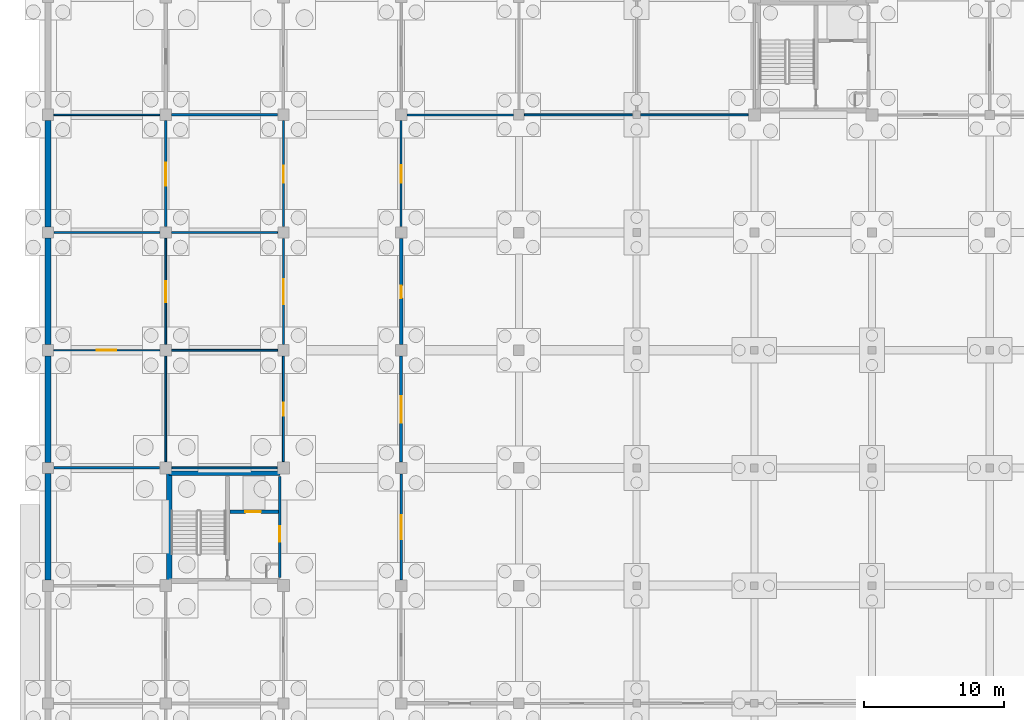
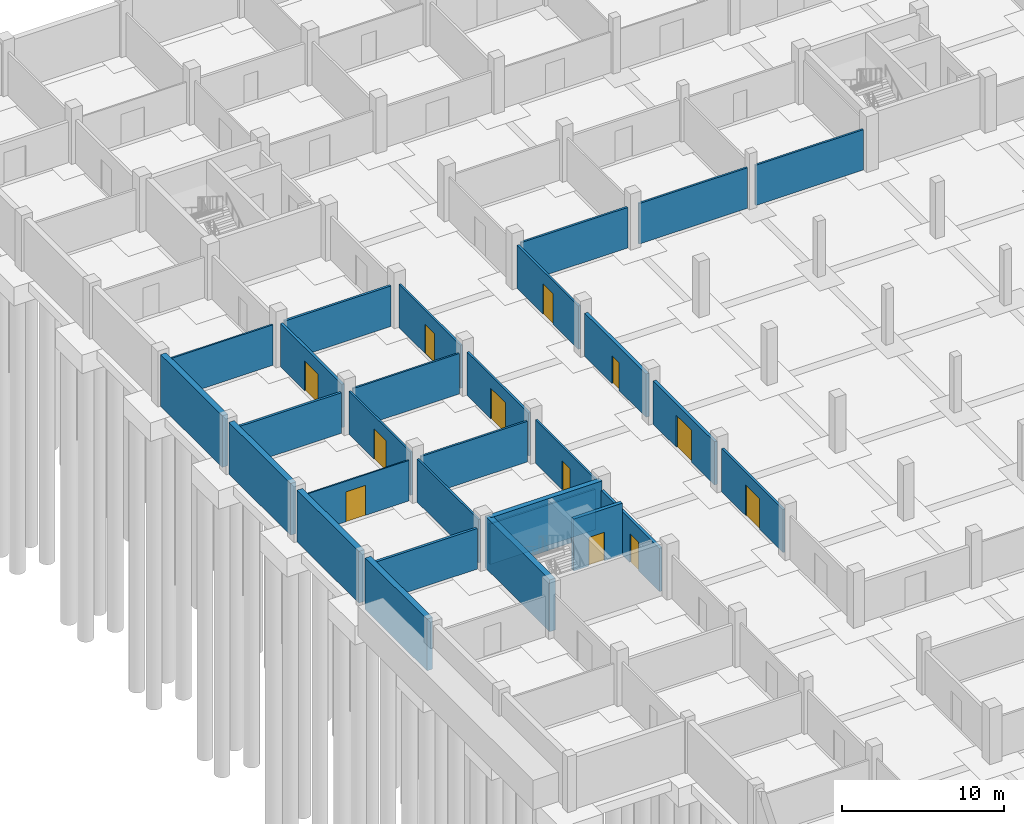
# One storey, part 25 of 43: 29 walls, 12 doors, 12 openings.
"""IFC4 building model written with IfcOpenShell, lengths in metres."""

from ifc_helpers import new_model, si_unit, direction, frame, frame_2d, origin, place, context, subcontext, project, spatial, rectangle, extrude, material, layer, layer_set, type_object, element, fill, save


model = new_model("IFC4")

# Units and contexts
model_context = context("Model", 3, precision=1e-05, world=origin(), true_north=direction((0.0, 1.0)))
body_context = subcontext(model_context, "Body", "Model", "MODEL_VIEW")
ifc_project = project(units=[si_unit("LENGTHUNIT", "METRE"), si_unit("AREAUNIT", "SQUARE_METRE"), si_unit("VOLUMEUNIT", "CUBIC_METRE"), si_unit("PLANEANGLEUNIT", "RADIAN"), si_unit("MASSUNIT", "GRAM", prefix="KILO")], contexts=[model_context])

# Site, building, storey
site_placement = place(None, origin())
site = spatial("IfcSite", under=ifc_project, at=site_placement, CompositionType="ELEMENT")
building_placement = place(site_placement, origin())
building = spatial("IfcBuilding", under=site, at=building_placement, Name="Varnapada Polytechnic", CompositionType="ELEMENT")
storey_placement = place(building_placement, frame((0.0, 0.0, -4.199951171875)))
storey = spatial("IfcBuildingStorey", under=building, at=storey_placement, Name="B1", CompositionType="ELEMENT", Elevation=-4.199951171875)

# Wall, opening, door
ifc_material_1 = material(Name="Autoclaved Aerated Concrete Block AAC-600", Category="concrete")
ifc_layer_1 = layer(ifc_material_1, 0.199951171875)
ifc_layer_set_1 = layer_set([ifc_layer_1], Name="Autoclaved Aerated Concrete Block AAC-600")
wall_type_1 = type_object("IfcWallType", Name="Interior Wall IW-01", PredefinedType="PARTITIONING", material=ifc_layer_set_1)
wall_1_placement = place(storey_placement, frame((16.5400390625, 66.60009765625, 0.0), z_axis=(0.0, 0.0, 1.0), x_axis=(0.0, -1.0, 0.0)))
wall_1 = element("IfcWall", 1, at=wall_1_placement, inside=storey, type_object=wall_type_1, Name="B1 C2 firefighting lobby east wall", PredefinedType="PARTITIONING", context=body_context, shape_type="SweptSolid", body=[
    extrude(rectangle(XDim=7.2001953125, YDim=0.199951171875, at=frame_2d((3.60009765625, 0.0))), origin(), (0.0, 0.0, 1.0), 3.25),
])
opening_1_placement = place(wall_1_placement, frame((3.550048828125, 0.0, 0.0)))
opening_1 = element("IfcOpeningElement", 2, at=opening_1_placement, cuts=wall_1, Name="Opening D-601", PredefinedType="OPENING", context=body_context, shape_type="SweptSolid", body=[
    extrude(rectangle(XDim=1.10009765625, YDim=2.14990234375, at=frame_2d((0.550048828125, 1.074951171875))), frame((0.0, 0.10986328125, 0.0), z_axis=(0.0, -1.0, 0.0), x_axis=(1.0, 0.0, 0.0)), (0.0, 0.0, 1.0), 0.219970703125),
])
ifc_material_2 = material(Name="Galvanized Steel Z275", Category="steel")
door_type_1 = type_object("IfcDoorType", Name="Interior Door ID-01", OperationType="NOTDEFINED", PredefinedType="DOOR", material=ifc_material_2)
door_1_placement = place(opening_1_placement, frame((1.10009765625, 0.0, 0.0), z_axis=(0.0, 0.0, 1.0), x_axis=(-1.0, 0.0, 0.0)))
door_1 = element("IfcDoor", 3, at=door_1_placement, inside=storey, type_object=door_type_1, Name="B1 C2 lobby fire door D-601", OperationType="SINGLE_SWING_LEFT", OverallHeight=2.14990234375, OverallWidth=1.10009765625, PredefinedType="DOOR", context=body_context, shape_type="SweptSolid", body=[
    extrude(rectangle(XDim=1.10009765625, YDim=2.14990234375, at=frame_2d((0.550048828125, 1.074951171875))), frame((0.0, 0.02490234375, 0.0), z_axis=(0.0, -1.0, 0.0), x_axis=(1.0, 0.0, 0.0)), (0.0, 0.0, 1.0), 0.050048828125),
])
fill(opening_1, door_1)

ifc_layer_2 = layer(ifc_material_1, 0.14990234375)
ifc_layer_set_2 = layer_set([ifc_layer_2], Name="Autoclaved Aerated Concrete Block AAC-600")
wall_type_2 = type_object("IfcWallType", Name="Interior Wall IW-02", PredefinedType="PARTITIONING", material=ifc_layer_set_2)
wall_2_placement = place(storey_placement, frame((16.800048828125, 76.02001953125, 0.0), z_axis=(0.0, 0.0, 1.0), x_axis=(0.0, 1.0, 0.0)))
wall_2 = element("IfcWall", 4, at=wall_2_placement, inside=storey, type_object=wall_type_2, Name="B1 interior partition IW-B1-01-09-V", PredefinedType="PARTITIONING", context=body_context, shape_type="SweptSolid", body=[
    extrude(rectangle(XDim=7.56005859375, YDim=0.14990234375, at=frame_2d((3.780029296875, 0.0))), origin(), (0.0, 0.0, 1.0), 3.25),
])
opening_2_placement = place(wall_2_placement, frame((2.85009765625, 0.0, 0.0)))
opening_2 = element("IfcOpeningElement", 5, at=opening_2_placement, cuts=wall_2, Name="Opening D-631", PredefinedType="OPENING", context=body_context, shape_type="SweptSolid", body=[
    extrude(rectangle(XDim=1.800048828125, YDim=2.300048828125, at=frame_2d((0.89990234375, 1.14990234375))), frame((0.0, 0.0849609375, 0.0), z_axis=(0.0, -1.0, 0.0), x_axis=(1.0, 0.0, 0.0)), (0.0, 0.0, 1.0), 0.169921875),
])
ifc_material_3 = material(Name="Acoustic Double Timber Leaf", Category="wood")
door_type_2 = type_object("IfcDoorType", Name="Interior Door ID-04", OperationType="NOTDEFINED", PredefinedType="DOOR", material=ifc_material_3)
door_2_placement = place(opening_2_placement, origin())
door_2 = element("IfcDoor", 6, at=door_2_placement, inside=storey, type_object=door_type_2, Name="B1 interior room door D-631", OperationType="SINGLE_SWING_RIGHT", OverallHeight=2.300048828125, OverallWidth=1.800048828125, PredefinedType="DOOR", context=body_context, shape_type="SweptSolid", body=[
    extrude(rectangle(XDim=1.800048828125, YDim=2.300048828125, at=frame_2d((0.89990234375, 1.14990234375))), frame((0.0, 0.02490234375, 0.0), z_axis=(0.0, -1.0, 0.0), x_axis=(1.0, 0.0, 0.0)), (0.0, 0.0, 1.0), 0.050048828125),
])
fill(opening_2, door_2)

wall_3_placement = place(storey_placement, frame((25.199951171875, 84.419921875, 0.0), z_axis=(0.0, 0.0, 1.0), x_axis=(0.0, 1.0, 0.0)))
wall_3 = element("IfcWall", 7, at=wall_3_placement, inside=storey, type_object=wall_type_2, Name="B1 interior partition IW-B1-02-10-V", PredefinedType="PARTITIONING", context=body_context, shape_type="SweptSolid", body=[
    extrude(rectangle(XDim=7.56005859375, YDim=0.14990234375, at=frame_2d((3.780029296875, 0.0))), origin(), (0.0, 0.0, 1.0), 3.25),
])
opening_3_placement = place(wall_3_placement, frame((3.125, 0.0, 0.0)))
opening_3 = element("IfcOpeningElement", 8, at=opening_3_placement, cuts=wall_3, Name="Opening D-643", PredefinedType="OPENING", context=body_context, shape_type="SweptSolid", body=[
    extrude(rectangle(XDim=1.25, YDim=2.300048828125, at=frame_2d((0.625, 1.14990234375))), frame((0.0, 0.0849609375, 0.0), z_axis=(0.0, -1.0, 0.0), x_axis=(1.0, 0.0, 0.0)), (0.0, 0.0, 1.0), 0.169921875),
])
ifc_material_4 = material(Name="Solid Teak Hardwood Timber", Category="wood")
door_type_3 = type_object("IfcDoorType", Name="Interior Door ID-16", OperationType="NOTDEFINED", PredefinedType="DOOR", material=ifc_material_4)
door_3_placement = place(opening_3_placement, origin())
door_3 = element("IfcDoor", 9, at=door_3_placement, inside=storey, type_object=door_type_3, Name="B1 interior room door D-643", OperationType="SINGLE_SWING_RIGHT", OverallHeight=2.300048828125, OverallWidth=1.25, PredefinedType="DOOR", context=body_context, shape_type="SweptSolid", body=[
    extrude(rectangle(XDim=1.25, YDim=2.300048828125, at=frame_2d((0.625, 1.14990234375))), frame((0.0, 0.02490234375, 0.0), z_axis=(0.0, -1.0, 0.0), x_axis=(1.0, 0.0, 0.0)), (0.0, 0.0, 1.0), 0.050048828125),
])
fill(opening_3, door_3)

# Walls
wall_4_placement = place(storey_placement, frame((25.6201171875, 92.39990234375, 0.0), z_axis=(0.0, 0.0, 1.0), x_axis=(1.0, 0.0, 0.0)))
element("IfcWall", 10, at=wall_4_placement, inside=storey, type_object=wall_type_2, Name="B1 interior partition IW-B1-03-10-H", PredefinedType="PARTITIONING", context=body_context, shape_type="SweptSolid", body=[
    extrude(rectangle(XDim=7.5849609375, YDim=0.14990234375, at=frame_2d((3.79248046875, 0.0))), origin(), (0.0, 0.0, 1.0), 3.050048828125),
])
ifc_material_5 = material(Name="Gypsum Plasterboard Acoustic Partition")
ifc_layer_3 = layer(ifc_material_5, 0.125)
ifc_layer_set_3 = layer_set([ifc_layer_3], Name="Gypsum Plasterboard Acoustic Partition")
wall_type_3 = type_object("IfcWallType", Name="Interior Wall IW-03", PredefinedType="PARTITIONING", material=ifc_layer_set_3)
wall_5_placement = place(storey_placement, frame((8.820068359375, 84.0, 0.0), z_axis=(0.0, 0.0, 1.0), x_axis=(1.0, 0.0, 0.0)))
element("IfcWall", 11, at=wall_5_placement, inside=storey, type_object=wall_type_3, Name="B1 interior partition IW-B1-01-09-H", PredefinedType="PARTITIONING", context=body_context, shape_type="SweptSolid", body=[
    extrude(rectangle(XDim=7.559814453125, YDim=0.125, at=frame_2d((3.77978515625, 0.0))), origin(), (0.0, 0.0, 1.0), 3.050048828125),
])
ifc_material_6 = material(Name="Moisture-Resistant Cement Board Partition")
ifc_layer_4 = layer(ifc_material_6, 0.139892578125)
ifc_layer_set_4 = layer_set([ifc_layer_4], Name="Moisture-Resistant Cement Board Partition")
wall_type_4 = type_object("IfcWallType", Name="Interior Wall IW-04", PredefinedType="PARTITIONING", material=ifc_layer_set_4)
wall_6_placement = place(storey_placement, frame((8.39990234375, 67.64501953125, 0.0), z_axis=(0.0, 0.0, 1.0), x_axis=(0.0, 1.0, 0.0)))
element("IfcWall", 12, at=wall_6_placement, inside=storey, type_object=wall_type_4, Name="B1 interior partition IW-B1-00-08-V", PredefinedType="PARTITIONING", context=body_context, shape_type="SweptSolid", body=[
    extrude(rectangle(XDim=7.534912109375, YDim=0.139892578125, at=frame_2d((3.767578125, 0.0))), origin(), (0.0, 0.0, 1.0), 3.25),
])
wall_7_placement = place(storey_placement, frame((8.844970703125, 67.199951171875, 0.0), z_axis=(0.0, 0.0, 1.0), x_axis=(1.0, 0.0, 0.0)))
element("IfcWall", 13, at=wall_7_placement, inside=storey, type_object=wall_type_4, Name="B1 interior partition IW-B1-01-07-H", PredefinedType="PARTITIONING", context=body_context, shape_type="SweptSolid", body=[
    extrude(rectangle(XDim=7.510009765625, YDim=0.139892578125, at=frame_2d((3.7548828125, 0.0))), origin(), (0.0, 0.0, 1.0), 3.050048828125),
])

# Wall, opening, door
wall_8_placement = place(storey_placement, frame((16.800048828125, 67.64501953125, 0.0), z_axis=(0.0, 0.0, 1.0), x_axis=(0.0, 1.0, 0.0)))
wall_8 = element("IfcWall", 14, at=wall_8_placement, inside=storey, type_object=wall_type_4, Name="B1 interior partition IW-B1-01-08-V", PredefinedType="PARTITIONING", context=body_context, shape_type="SweptSolid", body=[
    extrude(rectangle(XDim=7.534912109375, YDim=0.139892578125, at=frame_2d((3.767578125, 0.0))), origin(), (0.0, 0.0, 1.0), 3.25),
])
opening_4_placement = place(wall_8_placement, frame((3.27490234375, 0.0, 0.0)))
opening_4 = element("IfcOpeningElement", 15, at=opening_4_placement, cuts=wall_8, Name="Opening D-630", PredefinedType="OPENING", context=body_context, shape_type="SweptSolid", body=[
    extrude(rectangle(XDim=0.949951171875, YDim=2.14990234375, at=frame_2d((0.47509765625, 1.074951171875))), frame((0.0, 0.079833984375, 0.0), z_axis=(0.0, -1.0, 0.0), x_axis=(1.0, 0.0, 0.0)), (0.0, 0.0, 1.0), 0.159912109375),
])
ifc_material_7 = material(Name="Moisture-Resistant HPL Timber", Category="wood")
door_type_4 = type_object("IfcDoorType", Name="Interior Door ID-03", OperationType="NOTDEFINED", PredefinedType="DOOR", material=ifc_material_7)
door_4_placement = place(opening_4_placement, origin())
door_4 = element("IfcDoor", 16, at=door_4_placement, inside=storey, type_object=door_type_4, Name="B1 interior room door D-630", OperationType="SINGLE_SWING_LEFT", OverallHeight=2.14990234375, OverallWidth=0.949951171875, PredefinedType="DOOR", context=body_context, shape_type="SweptSolid", body=[
    extrude(rectangle(XDim=0.949951171875, YDim=2.14990234375, at=frame_2d((0.47509765625, 1.074951171875))), frame((0.0, 0.02490234375, 0.0), z_axis=(0.0, -1.0, 0.0), x_axis=(1.0, 0.0, 0.0)), (0.0, 0.0, 1.0), 0.050048828125),
])
fill(opening_4, door_4)

# Wall
wall_9_placement = place(storey_placement, frame((8.820068359375, 75.60009765625, 0.0), z_axis=(0.0, 0.0, 1.0), x_axis=(1.0, 0.0, 0.0)))
element("IfcWall", 17, at=wall_9_placement, inside=storey, type_object=wall_type_4, Name="B1 interior partition IW-B1-01-08-H", PredefinedType="PARTITIONING", context=body_context, shape_type="SweptSolid", body=[
    extrude(rectangle(XDim=7.559814453125, YDim=0.139892578125, at=frame_2d((3.77978515625, 0.0))), origin(), (0.0, 0.0, 1.0), 3.050048828125),
])

# Wall, opening, door
wall_10_placement = place(storey_placement, frame((16.800048828125, 84.419921875, 0.0), z_axis=(0.0, 0.0, 1.0), x_axis=(0.0, 1.0, 0.0)))
wall_10 = element("IfcWall", 18, at=wall_10_placement, inside=storey, type_object=wall_type_4, Name="B1 interior partition IW-B1-01-10-V", PredefinedType="PARTITIONING", context=body_context, shape_type="SweptSolid", body=[
    extrude(rectangle(XDim=7.56005859375, YDim=0.139892578125, at=frame_2d((3.780029296875, 0.0))), origin(), (0.0, 0.0, 1.0), 3.25),
])
opening_5_placement = place(wall_10_placement, frame((3.14990234375, 0.0, 0.0)))
opening_5 = element("IfcOpeningElement", 19, at=opening_5_placement, cuts=wall_10, Name="Opening D-632", PredefinedType="OPENING", context=body_context, shape_type="SweptSolid", body=[
    extrude(rectangle(XDim=1.199951171875, YDim=2.199951171875, at=frame_2d((0.60009765625, 1.10009765625))), frame((0.0, 0.079833984375, 0.0), z_axis=(0.0, -1.0, 0.0), x_axis=(1.0, 0.0, 0.0)), (0.0, 0.0, 1.0), 0.159912109375),
])
door_type_5 = type_object("IfcDoorType", Name="Interior Door ID-05", OperationType="NOTDEFINED", PredefinedType="DOOR", material=ifc_material_4)
door_5_placement = place(opening_5_placement, frame((1.199951171875, 0.0, 0.0), z_axis=(0.0, 0.0, 1.0), x_axis=(-1.0, 0.0, 0.0)))
door_5 = element("IfcDoor", 20, at=door_5_placement, inside=storey, type_object=door_type_5, Name="B1 interior room door D-632", OperationType="SINGLE_SWING_LEFT", OverallHeight=2.199951171875, OverallWidth=1.199951171875, PredefinedType="DOOR", context=body_context, shape_type="SweptSolid", body=[
    extrude(rectangle(XDim=1.199951171875, YDim=2.199951171875, at=frame_2d((0.60009765625, 1.10009765625))), frame((0.0, 0.02490234375, 0.0), z_axis=(0.0, -1.0, 0.0), x_axis=(1.0, 0.0, 0.0)), (0.0, 0.0, 1.0), 0.050048828125),
])
fill(opening_5, door_5)

# Walls
wall_11_placement = place(storey_placement, frame((33.9951171875, 92.39990234375, 0.0), z_axis=(0.0, 0.0, 1.0), x_axis=(1.0, 0.0, 0.0)))
element("IfcWall", 21, at=wall_11_placement, inside=storey, type_object=wall_type_4, Name="B1 interior partition IW-B1-04-10-H", PredefinedType="PARTITIONING", context=body_context, shape_type="SweptSolid", body=[
    extrude(rectangle(XDim=7.7099609375, YDim=0.139892578125, at=frame_2d((3.85498046875, 0.0))), origin(), (0.0, 0.0, 1.0), 3.050048828125),
])
wall_12_placement = place(storey_placement, frame((42.294921875, 92.39990234375, 0.0), z_axis=(0.0, 0.0, 1.0), x_axis=(1.0, 0.0, 0.0)))
element("IfcWall", 22, at=wall_12_placement, inside=storey, type_object=wall_type_4, Name="B1 interior partition IW-B1-05-10-H", PredefinedType="PARTITIONING", context=body_context, shape_type="SweptSolid", body=[
    extrude(rectangle(XDim=7.66015625, YDim=0.139892578125, at=frame_2d((3.830078125, 0.0))), origin(), (0.0, 0.0, 1.0), 3.030029296875),
])
ifc_material_8 = material(Name="Cross-laminated timber CLT C24", Category="wood")
ifc_layer_5 = layer(ifc_material_8, 0.159912109375)
ifc_layer_set_5 = layer_set([ifc_layer_5], Name="Cross-laminated timber CLT C24")
wall_type_5 = type_object("IfcWallType", Name="Interior Wall IW-05", PredefinedType="PARTITIONING", material=ifc_layer_set_5)
wall_13_placement = place(storey_placement, frame((8.820068359375, 92.39990234375, 0.0), z_axis=(0.0, 0.0, 1.0), x_axis=(1.0, 0.0, 0.0)))
element("IfcWall", 23, at=wall_13_placement, inside=storey, type_object=wall_type_5, Name="B1 interior partition IW-B1-01-10-H", PredefinedType="PARTITIONING", context=body_context, shape_type="SweptSolid", body=[
    extrude(rectangle(XDim=7.559814453125, YDim=0.159912109375, at=frame_2d((3.77978515625, 0.0))), origin(), (0.0, 0.0, 1.0), 3.050048828125),
])
ifc_material_9 = material(Name="Acoustic Double-Stud Studio Partition")
ifc_layer_6 = layer(ifc_material_9, 0.179931640625)
ifc_layer_set_6 = layer_set([ifc_layer_6], Name="Acoustic Double-Stud Studio Partition")
wall_type_6 = type_object("IfcWallType", Name="Interior Wall IW-06", PredefinedType="PARTITIONING", material=ifc_layer_set_6)
wall_14_placement = place(storey_placement, frame((0.419921875, 67.199951171875, 0.0), z_axis=(0.0, 0.0, 1.0), x_axis=(1.0, 0.0, 0.0)))
element("IfcWall", 24, at=wall_14_placement, inside=storey, type_object=wall_type_6, Name="B1 interior partition IW-B1-00-07-H", PredefinedType="PARTITIONING", context=body_context, shape_type="SweptSolid", body=[
    extrude(rectangle(XDim=7.53515625, YDim=0.179931640625, at=frame_2d((3.767578125, 0.0))), origin(), (0.0, 0.0, 1.0), 3.050048828125),
])

# Wall, opening, door
ifc_material_10 = material(Name="Operable Acoustic Seminar Partition")
ifc_layer_7 = layer(ifc_material_10, 0.10009765625)
ifc_layer_set_7 = layer_set([ifc_layer_7], Name="Operable Acoustic Seminar Partition")
wall_type_7 = type_object("IfcWallType", Name="Interior Wall IW-08", PredefinedType="MOVABLE", material=ifc_layer_set_7)
wall_15_placement = place(storey_placement, frame((0.419921875, 75.60009765625, 0.0), z_axis=(0.0, 0.0, 1.0), x_axis=(1.0, 0.0, 0.0)))
wall_15 = element("IfcWall", 25, at=wall_15_placement, inside=storey, type_object=wall_type_7, Name="B1 interior partition IW-B1-00-08-H", PredefinedType="MOVABLE", context=body_context, shape_type="SweptSolid", body=[
    extrude(rectangle(XDim=7.56005859375, YDim=0.10009765625, at=frame_2d((3.780029296875, 0.0))), origin(), (0.0, 0.0, 1.0), 3.050048828125),
])
opening_6_placement = place(wall_15_placement, frame((3.050048828125, 0.0, 0.0)))
opening_6 = element("IfcOpeningElement", 26, at=opening_6_placement, cuts=wall_15, Name="Opening D-616", PredefinedType="OPENING", context=body_context, shape_type="SweptSolid", body=[
    extrude(rectangle(XDim=1.39990234375, YDim=2.25, at=frame_2d((0.699951171875, 1.125))), frame((0.0, 0.06005859375, 0.0), z_axis=(0.0, -1.0, 0.0), x_axis=(1.0, 0.0, 0.0)), (0.0, 0.0, 1.0), 0.1201171875),
])
ifc_material_11 = material(Name="Powder-Coated Aluminium 6063-T6", Category="aluminium")
door_type_6 = type_object("IfcDoorType", Name="Interior Door ID-06", OperationType="NOTDEFINED", PredefinedType="DOOR", material=ifc_material_11)
door_6_placement = place(opening_6_placement, origin())
door_6 = element("IfcDoor", 27, at=door_6_placement, inside=storey, type_object=door_type_6, Name="B1 interior room door D-616", OperationType="SINGLE_SWING_LEFT", OverallHeight=2.25, OverallWidth=1.39990234375, PredefinedType="DOOR", context=body_context, shape_type="SweptSolid", body=[
    extrude(rectangle(XDim=1.39990234375, YDim=2.25, at=frame_2d((0.699951171875, 1.125))), frame((0.0, 0.02490234375, 0.0), z_axis=(0.0, -1.0, 0.0), x_axis=(1.0, 0.0, 0.0)), (0.0, 0.0, 1.0), 0.050048828125),
])
fill(opening_6, door_6)

ifc_material_12 = material(Name="Calcium Silicate Acoustic Lab Partition")
ifc_layer_8 = layer(ifc_material_12, 0.135009765625)
ifc_layer_set_8 = layer_set([ifc_layer_8], Name="Calcium Silicate Acoustic Lab Partition")
wall_type_8 = type_object("IfcWallType", Name="Interior Wall IW-09", PredefinedType="PARTITIONING", material=ifc_layer_set_8)
wall_16_placement = place(storey_placement, frame((8.39990234375, 76.02001953125, 0.0), z_axis=(0.0, 0.0, 1.0), x_axis=(0.0, 1.0, 0.0)))
wall_16 = element("IfcWall", 28, at=wall_16_placement, inside=storey, type_object=wall_type_8, Name="B1 interior partition IW-B1-00-09-V", PredefinedType="PARTITIONING", context=body_context, shape_type="SweptSolid", body=[
    extrude(rectangle(XDim=7.56005859375, YDim=0.135009765625, at=frame_2d((3.780029296875, 0.0))), origin(), (0.0, 0.0, 1.0), 3.25),
])
opening_7_placement = place(wall_16_placement, frame((3.0, 0.0, 0.0)))
opening_7 = element("IfcOpeningElement", 29, at=opening_7_placement, cuts=wall_16, Name="Opening D-617", PredefinedType="OPENING", context=body_context, shape_type="SweptSolid", body=[
    extrude(rectangle(XDim=1.5, YDim=2.300048828125, at=frame_2d((0.75, 1.14990234375))), frame((0.0, 0.077392578125, 0.0), z_axis=(0.0, -1.0, 0.0), x_axis=(1.0, 0.0, 0.0)), (0.0, 0.0, 1.0), 0.155029296875),
])
door_type_7 = type_object("IfcDoorType", Name="Interior Door ID-07", OperationType="NOTDEFINED", PredefinedType="DOOR", material=ifc_material_2)
door_7_placement = place(opening_7_placement, frame((1.5, 0.0, 0.0), z_axis=(0.0, 0.0, 1.0), x_axis=(-1.0, 0.0, 0.0)))
door_7 = element("IfcDoor", 30, at=door_7_placement, inside=storey, type_object=door_type_7, Name="B1 interior room door D-617", OperationType="SINGLE_SWING_RIGHT", OverallHeight=2.300048828125, OverallWidth=1.5, PredefinedType="DOOR", context=body_context, shape_type="SweptSolid", body=[
    extrude(rectangle(XDim=1.5, YDim=2.300048828125, at=frame_2d((0.75, 1.14990234375))), frame((0.0, 0.02490234375, 0.0), z_axis=(0.0, -1.0, 0.0), x_axis=(1.0, 0.0, 0.0)), (0.0, 0.0, 1.0), 0.050048828125),
])
fill(opening_7, door_7)

# Wall
ifc_material_13 = material(Name="Double-Layer Fireboard Workshop Wall")
ifc_layer_9 = layer(ifc_material_13, 0.169921875)
ifc_layer_set_9 = layer_set([ifc_layer_9], Name="Double-Layer Fireboard Workshop Wall")
wall_type_9 = type_object("IfcWallType", Name="Interior Wall IW-10", PredefinedType="PARTITIONING", material=ifc_layer_set_9)
wall_17_placement = place(storey_placement, frame((0.419921875, 84.0, 0.0), z_axis=(0.0, 0.0, 1.0), x_axis=(1.0, 0.0, 0.0)))
element("IfcWall", 31, at=wall_17_placement, inside=storey, type_object=wall_type_9, Name="B1 interior partition IW-B1-00-09-H", PredefinedType="PARTITIONING", context=body_context, shape_type="SweptSolid", body=[
    extrude(rectangle(XDim=7.56005859375, YDim=0.169921875, at=frame_2d((3.780029296875, 0.0))), origin(), (0.0, 0.0, 1.0), 3.050048828125),
])

# Wall, opening, door
ifc_material_14 = material(Name="Insulated Masonry Plant Room Wall", Category="masonry")
ifc_layer_10 = layer(ifc_material_14, 0.18994140625)
ifc_layer_set_10 = layer_set([ifc_layer_10], Name="Insulated Masonry Plant Room Wall")
wall_type_10 = type_object("IfcWallType", Name="Interior Wall IW-11", PredefinedType="PARTITIONING", material=ifc_layer_set_10)
wall_18_placement = place(storey_placement, frame((8.39990234375, 84.419921875, 0.0), z_axis=(0.0, 0.0, 1.0), x_axis=(0.0, 1.0, 0.0)))
wall_18 = element("IfcWall", 32, at=wall_18_placement, inside=storey, type_object=wall_type_10, Name="B1 interior partition IW-B1-00-10-V", PredefinedType="PARTITIONING", context=body_context, shape_type="SweptSolid", body=[
    extrude(rectangle(XDim=7.56005859375, YDim=0.18994140625, at=frame_2d((3.780029296875, 0.0))), origin(), (0.0, 0.0, 1.0), 3.25),
])
opening_8_placement = place(wall_18_placement, frame((2.925048828125, 0.0, 0.0)))
opening_8 = element("IfcOpeningElement", 33, at=opening_8_placement, cuts=wall_18, Name="Opening D-618", PredefinedType="OPENING", context=body_context, shape_type="SweptSolid", body=[
    extrude(rectangle(XDim=1.64990234375, YDim=2.25, at=frame_2d((0.824951171875, 1.125))), frame((0.0, 0.10498046875, 0.0), z_axis=(0.0, -1.0, 0.0), x_axis=(1.0, 0.0, 0.0)), (0.0, 0.0, 1.0), 0.2099609375),
])
door_type_8 = type_object("IfcDoorType", Name="Interior Door ID-08", OperationType="NOTDEFINED", PredefinedType="DOOR", material=ifc_material_4)
door_8_placement = place(opening_8_placement, origin())
door_8 = element("IfcDoor", 34, at=door_8_placement, inside=storey, type_object=door_type_8, Name="B1 interior room door D-618", OperationType="SINGLE_SWING_LEFT", OverallHeight=2.25, OverallWidth=1.64990234375, PredefinedType="DOOR", context=body_context, shape_type="SweptSolid", body=[
    extrude(rectangle(XDim=1.64990234375, YDim=2.25, at=frame_2d((0.824951171875, 1.125))), frame((0.0, 0.02490234375, 0.0), z_axis=(0.0, -1.0, 0.0), x_axis=(1.0, 0.0, 0.0)), (0.0, 0.0, 1.0), 0.050048828125),
])
fill(opening_8, door_8)

# Wall
ifc_material_15 = material(Name="Timber-Stud Studio Critique Partition", Category="wood")
ifc_layer_11 = layer(ifc_material_15, 0.114990234375)
ifc_layer_set_11 = layer_set([ifc_layer_11], Name="Timber-Stud Studio Critique Partition")
wall_type_11 = type_object("IfcWallType", Name="Interior Wall IW-12", PredefinedType="PARTITIONING", material=ifc_layer_set_11)
wall_19_placement = place(storey_placement, frame((0.419921875, 92.39990234375, 0.0), z_axis=(0.0, 0.0, 1.0), x_axis=(1.0, 0.0, 0.0)))
element("IfcWall", 35, at=wall_19_placement, inside=storey, type_object=wall_type_11, Name="B1 interior partition IW-B1-00-10-H", PredefinedType="PARTITIONING", context=body_context, shape_type="SweptSolid", body=[
    extrude(rectangle(XDim=7.56005859375, YDim=0.114990234375, at=frame_2d((3.780029296875, 0.0))), origin(), (0.0, 0.0, 1.0), 3.050048828125),
])

# Wall, opening, door
ifc_material_16 = material(Name="Perforated Timber-Lined Seminar Wall", Category="wood")
ifc_layer_12 = layer(ifc_material_16, 0.155029296875)
ifc_layer_set_12 = layer_set([ifc_layer_12], Name="Perforated Timber-Lined Seminar Wall")
wall_type_12 = type_object("IfcWallType", Name="Interior Wall IW-15", PredefinedType="PARTITIONING", material=ifc_layer_set_12)
wall_20_placement = place(storey_placement, frame((25.199951171875, 59.219970703125, 0.0), z_axis=(0.0, 0.0, 1.0), x_axis=(0.0, 1.0, 0.0)))
wall_20 = element("IfcWall", 36, at=wall_20_placement, inside=storey, type_object=wall_type_12, Name="B1 interior partition IW-B1-02-07-V", PredefinedType="PARTITIONING", context=body_context, shape_type="SweptSolid", body=[
    extrude(rectangle(XDim=7.56005859375, YDim=0.155029296875, at=frame_2d((3.780029296875, 0.0))), origin(), (0.0, 0.0, 1.0), 3.25),
])
opening_9_placement = place(wall_20_placement, frame((2.89990234375, 0.0, 0.0)))
opening_9 = element("IfcOpeningElement", 37, at=opening_9_placement, cuts=wall_20, Name="Opening D-640", PredefinedType="OPENING", context=body_context, shape_type="SweptSolid", body=[
    extrude(rectangle(XDim=1.699951171875, YDim=2.300048828125, at=frame_2d((0.85009765625, 1.14990234375))), frame((0.0, 0.08740234375, 0.0), z_axis=(0.0, -1.0, 0.0), x_axis=(1.0, 0.0, 0.0)), (0.0, 0.0, 1.0), 0.175048828125),
])
door_type_9 = type_object("IfcDoorType", Name="Interior Door ID-13", OperationType="NOTDEFINED", PredefinedType="DOOR", material=ifc_material_3)
door_9_placement = place(opening_9_placement, origin())
door_9 = element("IfcDoor", 38, at=door_9_placement, inside=storey, type_object=door_type_9, Name="B1 interior room door D-640", OperationType="SINGLE_SWING_LEFT", OverallHeight=2.300048828125, OverallWidth=1.699951171875, PredefinedType="DOOR", context=body_context, shape_type="SweptSolid", body=[
    extrude(rectangle(XDim=1.699951171875, YDim=2.300048828125, at=frame_2d((0.85009765625, 1.14990234375))), frame((0.0, 0.02490234375, 0.0), z_axis=(0.0, -1.0, 0.0), x_axis=(1.0, 0.0, 0.0)), (0.0, 0.0, 1.0), 0.050048828125),
])
fill(opening_9, door_9)

ifc_material_17 = material(Name="Heavy Masonry Workshop Partition", Category="masonry")
ifc_layer_13 = layer(ifc_material_17, 0.2099609375)
ifc_layer_set_13 = layer_set([ifc_layer_13], Name="Heavy Masonry Workshop Partition")
wall_type_13 = type_object("IfcWallType", Name="Interior Wall IW-16", PredefinedType="PARTITIONING", material=ifc_layer_set_13)
wall_21_placement = place(storey_placement, frame((25.199951171875, 67.6201171875, 0.0), z_axis=(0.0, 0.0, 1.0), x_axis=(0.0, 1.0, 0.0)))
wall_21 = element("IfcWall", 39, at=wall_21_placement, inside=storey, type_object=wall_type_13, Name="B1 interior partition IW-B1-02-08-V", PredefinedType="PARTITIONING", context=body_context, shape_type="SweptSolid", body=[
    extrude(rectangle(XDim=7.559814453125, YDim=0.2099609375, at=frame_2d((3.77978515625, 0.0))), origin(), (0.0, 0.0, 1.0), 3.25),
])
opening_10_placement = place(wall_21_placement, frame((2.800048828125, 0.0, 0.0)))
opening_10 = element("IfcOpeningElement", 40, at=opening_10_placement, cuts=wall_21, Name="Opening D-641", PredefinedType="OPENING", context=body_context, shape_type="SweptSolid", body=[
    extrude(rectangle(XDim=1.89990234375, YDim=2.39990234375, at=frame_2d((0.949951171875, 1.199951171875))), frame((0.0, 0.114990234375, 0.0), z_axis=(0.0, -1.0, 0.0), x_axis=(1.0, 0.0, 0.0)), (0.0, 0.0, 1.0), 0.22998046875),
])
ifc_material_18 = material(Name="Heavy Workshop Double Steel Door", Category="steel")
door_type_10 = type_object("IfcDoorType", Name="Interior Door ID-14", OperationType="NOTDEFINED", PredefinedType="DOOR", material=ifc_material_18)
door_10_placement = place(opening_10_placement, frame((1.89990234375, 0.0, 0.0), z_axis=(0.0, 0.0, 1.0), x_axis=(-1.0, 0.0, 0.0)))
door_10 = element("IfcDoor", 41, at=door_10_placement, inside=storey, type_object=door_type_10, Name="B1 interior room door D-641", OperationType="SINGLE_SWING_RIGHT", OverallHeight=2.39990234375, OverallWidth=1.89990234375, PredefinedType="DOOR", context=body_context, shape_type="SweptSolid", body=[
    extrude(rectangle(XDim=1.89990234375, YDim=2.39990234375, at=frame_2d((0.949951171875, 1.199951171875))), frame((0.0, 0.02490234375, 0.0), z_axis=(0.0, -1.0, 0.0), x_axis=(1.0, 0.0, 0.0)), (0.0, 0.0, 1.0), 0.050048828125),
])
fill(opening_10, door_10)

ifc_material_19 = material(Name="Double-Leaf Acoustic Lecture Wall")
ifc_layer_14 = layer(ifc_material_19, 0.235107421875)
ifc_layer_set_14 = layer_set([ifc_layer_14], Name="Double-Leaf Acoustic Lecture Wall")
wall_type_14 = type_object("IfcWallType", Name="Interior Wall IW-17", PredefinedType="PARTITIONING", material=ifc_layer_set_14)
wall_22_placement = place(storey_placement, frame((25.199951171875, 76.02001953125, 0.0), z_axis=(0.0, 0.0, 1.0), x_axis=(0.0, 1.0, 0.0)))
wall_22 = element("IfcWall", 42, at=wall_22_placement, inside=storey, type_object=wall_type_14, Name="B1 interior partition IW-B1-02-09-V", PredefinedType="PARTITIONING", context=body_context, shape_type="SweptSolid", body=[
    extrude(rectangle(XDim=7.56005859375, YDim=0.235107421875, at=frame_2d((3.780029296875, 0.0))), origin(), (0.0, 0.0, 1.0), 3.25),
])
opening_11_placement = place(wall_22_placement, frame((3.300048828125, 0.0, 0.0)))
opening_11 = element("IfcOpeningElement", 43, at=opening_11_placement, cuts=wall_22, Name="Opening D-642", PredefinedType="OPENING", context=body_context, shape_type="SweptSolid", body=[
    extrude(rectangle(XDim=0.89990234375, YDim=2.10009765625, at=frame_2d((0.449951171875, 1.050048828125))), frame((0.0, 0.12744140625, 0.0), z_axis=(0.0, -1.0, 0.0), x_axis=(1.0, 0.0, 0.0)), (0.0, 0.0, 1.0), 0.255126953125),
])
door_type_11 = type_object("IfcDoorType", Name="Interior Door ID-15", OperationType="NOTDEFINED", PredefinedType="DOOR", material=ifc_material_7)
door_11_placement = place(opening_11_placement, origin())
door_11 = element("IfcDoor", 44, at=door_11_placement, inside=storey, type_object=door_type_11, Name="B1 interior room door D-642", OperationType="SINGLE_SWING_LEFT", OverallHeight=2.10009765625, OverallWidth=0.89990234375, PredefinedType="DOOR", context=body_context, shape_type="SweptSolid", body=[
    extrude(rectangle(XDim=0.89990234375, YDim=2.10009765625, at=frame_2d((0.449951171875, 1.050048828125))), frame((0.0, 0.02490234375, 0.0), z_axis=(0.0, -1.0, 0.0), x_axis=(1.0, 0.0, 0.0)), (0.0, 0.0, 1.0), 0.050048828125),
])
fill(opening_11, door_11)

# Walls
ifc_material_20 = material(Name="Concrete C40/50", Category="concrete")
ifc_layer_15 = layer(ifc_material_20, 0.35009765625)
ifc_layer_set_15 = layer_set([ifc_layer_15], Name="Concrete C40/50")
wall_type_15 = type_object("IfcWallType", Name="Interior Wall SW-01", PredefinedType="SHEAR", material=ifc_layer_set_15)
wall_23_placement = place(storey_placement, frame((8.639892578125, 66.820068359375, 0.0), z_axis=(0.0, 0.0, 1.0), x_axis=(1.0, 0.0, 0.0)))
element("IfcWall", 45, at=wall_23_placement, inside=storey, type_object=wall_type_15, Name="B1 C2 core north shear wall", PredefinedType="SHEAR", context=body_context, shape_type="SweptSolid", body=[
    extrude(rectangle(XDim=7.900146484375, YDim=0.35009765625, at=frame_2d((3.9501953125, 0.0))), origin(), (0.0, 0.0, 1.0), 3.89990234375),
])
ifc_layer_16 = layer(ifc_material_20, 0.39990234375)
ifc_layer_set_16 = layer_set([ifc_layer_16], Name="Concrete C40/50")
wall_type_16 = type_object("IfcWallType", Name="Interior Wall SW-03", PredefinedType="SHEAR", material=ifc_layer_set_16)
wall_24_placement = place(storey_placement, frame((8.639892578125, 59.050048828125, 0.0), z_axis=(0.0, 0.0, 1.0), x_axis=(0.0, 1.0, 0.0)))
element("IfcWall", 46, at=wall_24_placement, inside=storey, type_object=wall_type_16, Name="B1 C2 stair west shear wall", PredefinedType="SHEAR", context=body_context, shape_type="SweptSolid", body=[
    extrude(rectangle(XDim=7.93994140625, YDim=0.39990234375, at=frame_2d((3.969970703125, 0.0))), origin(), (0.0, 0.0, 1.0), 3.89990234375),
])

# Wall, opening, door
ifc_layer_17 = layer(ifc_material_20, 0.25)
ifc_layer_set_17 = layer_set([ifc_layer_17], Name="Concrete C40/50")
wall_type_17 = type_object("IfcWallType", Name="Interior Wall SW-05", PredefinedType="SHEAR", material=ifc_layer_set_17)
wall_25_placement = place(storey_placement, frame((12.97998046875, 64.080078125, 0.0), z_axis=(0.0, 0.0, 1.0), x_axis=(1.0, 0.0, 0.0)))
wall_25 = element("IfcWall", 47, at=wall_25_placement, inside=storey, type_object=wall_type_17, Name="B1 C2 lift shaft front wall", PredefinedType="SHEAR", context=body_context, shape_type="SweptSolid", body=[
    extrude(rectangle(XDim=3.4599609375, YDim=0.25, at=frame_2d((1.72998046875, 0.0))), origin(), (0.0, 0.0, 1.0), 3.89990234375),
])
opening_12_placement = place(wall_25_placement, frame((1.10009765625, 0.0, 0.0)))
opening_12 = element("IfcOpeningElement", 48, at=opening_12_placement, cuts=wall_25, Name="Opening LD-001", PredefinedType="OPENING", context=body_context, shape_type="SweptSolid", body=[
    extrude(rectangle(XDim=1.10009765625, YDim=2.14990234375, at=frame_2d((0.550048828125, 1.074951171875))), frame((0.0, 0.135009765625, 0.0), z_axis=(0.0, -1.0, 0.0), x_axis=(1.0, 0.0, 0.0)), (0.0, 0.0, 1.0), 0.27001953125),
])
ifc_material_21 = material(Name="Brushed Stainless Steel 316", Category="steel")
door_type_12 = type_object("IfcDoorType", Name="Interior Door LD-01", OperationType="NOTDEFINED", PredefinedType="DOOR", material=ifc_material_21)
door_12_placement = place(opening_12_placement, origin())
door_12 = element("IfcDoor", 49, at=door_12_placement, inside=storey, type_object=door_type_12, Name="B1 LFT-02 sliding lift landing door LD-001", OperationType="DOUBLE_DOOR_SLIDING", OverallHeight=2.14990234375, OverallWidth=1.10009765625, PredefinedType="DOOR", context=body_context, shape_type="SweptSolid", body=[
    extrude(rectangle(XDim=1.10009765625, YDim=2.14990234375, at=frame_2d((0.550048828125, 1.074951171875))), frame((0.0, 0.02490234375, 0.0), z_axis=(0.0, -1.0, 0.0), x_axis=(1.0, 0.0, 0.0)), (0.0, 0.0, 1.0), 0.050048828125),
])
fill(opening_12, door_12)

# Walls
ifc_layer_18 = layer(ifc_material_20, 0.39990234375)
ifc_layer_set_18 = layer_set([ifc_layer_18], Name="Concrete C40/50")
wall_type_18 = type_object("IfcWallType", Name="Wall RW-01", PredefinedType="STANDARD", material=ifc_layer_set_18)
wall_26_placement = place(storey_placement, frame((0.0, 59.199951171875, 0.0), z_axis=(0.0, 0.0, 1.0), x_axis=(0.0, 1.0, 0.0)))
element("IfcWall", 50, at=wall_26_placement, inside=storey, type_object=wall_type_18, Name="B1 perimeter retaining wall 4", PredefinedType="STANDARD", context=body_context, shape_type="SweptSolid", body=[
    extrude(rectangle(XDim=7.60009765625, YDim=0.39990234375, at=frame_2d((3.800048828125, 0.0))), origin(), (0.0, 0.0, 1.0), 3.8798828125),
])
wall_27_placement = place(storey_placement, frame((0.0, 67.60009765625, 0.0), z_axis=(0.0, 0.0, 1.0), x_axis=(0.0, 1.0, 0.0)))
element("IfcWall", 51, at=wall_27_placement, inside=storey, type_object=wall_type_18, Name="B1 perimeter retaining wall 5", PredefinedType="STANDARD", context=body_context, shape_type="SweptSolid", body=[
    extrude(rectangle(XDim=7.599853515625, YDim=0.39990234375, at=frame_2d((3.7998046875, 0.0))), origin(), (0.0, 0.0, 1.0), 3.8798828125),
])
for number, where, z_axis, x_axis, name in (
    (52, (0.0, 76.0, 0.0), (0.0, 0.0, 1.0), (0.0, 1.0, 0.0), "B1 perimeter retaining wall 6"),
    (53, (0.0, 84.39990234375, 0.0), (0.0, 0.0, 1.0), (0.0, 1.0, 0.0), "B1 perimeter retaining wall 7"),
):
    element("IfcWall", number, at=place(storey_placement, frame(where, z_axis=z_axis, x_axis=x_axis)), inside=storey, type_object=wall_type_18, Name=name, PredefinedType="STANDARD", context=body_context, shape_type="SweptSolid", body=[
        extrude(rectangle(XDim=7.60009765625, YDim=0.39990234375, at=frame_2d((3.800048828125, 0.0))), origin(), (0.0, 0.0, 1.0), 3.8798828125),
    ])

save(model, "model.ifc")
